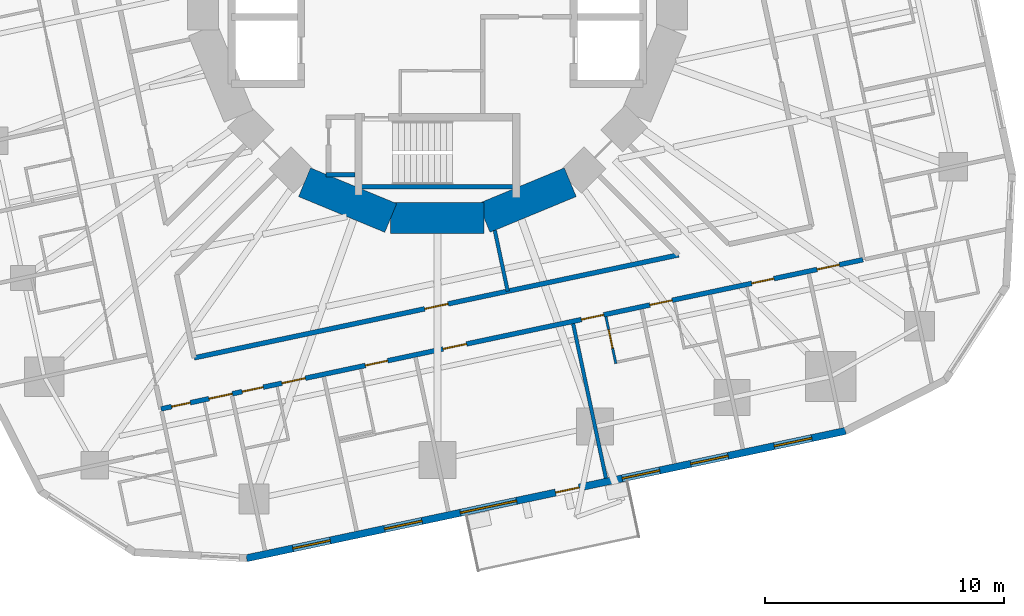
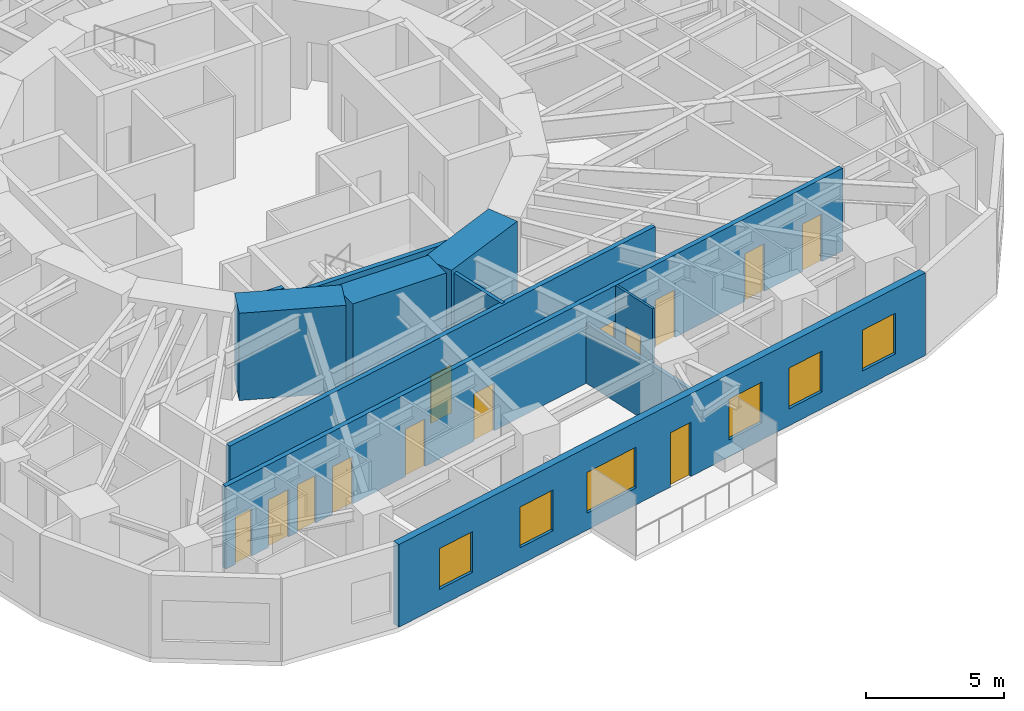
# One storey, part 5 of 14: 13 doors, 11 walls, 6 windows, 19 openings.
"""IFC4 building model written with IfcOpenShell, lengths in metres."""

import ifcopenshell
import ifcopenshell.guid

model = None  # the IFC model being written
_history = None  # IfcOwnerHistory: only IFC2X3 demands one
_inside = {}  # id of a spatial element -> (the spatial element, [elements in it])
_under = {}  # id of a project, library or spatial element -> (it, [spatial elements below it])
_declared = {}  # id of a project -> (the project, [libraries it declares])
_typed = {}  # id of a type object -> (the type object, [elements of that type])
_made_of = {}  # id of a material, layer set ... -> (it, [elements and type objects made of it])


def new_model(schema):
    """Start an empty IFC model of exactly this schema.

    Asked for "IFC4X3", IfcOpenShell would pick the latest addendum, in which some entities
    have other attributes; the version numbers below select the first issue.
    IFC2X3 requires an IfcOwnerHistory on every rooted entity: one is made here for all.
    """
    global model, _history
    if schema == "IFC4X3":
        model = ifcopenshell.file(schema_version=(4, 3, 0, 0))
    else:
        model = ifcopenshell.file(schema=schema)
    _inside.clear()
    _under.clear()
    _declared.clear()
    _typed.clear()
    _made_of.clear()
    _history = None
    if model.schema == "IFC2X3":
        org = make("IfcOrganization", Name="unknown")
        user = make(
            "IfcPersonAndOrganization",
            ThePerson=make("IfcPerson", FamilyName="unknown"),
            TheOrganization=org,
        )
        app = make(
            "IfcApplication",
            ApplicationDeveloper=org,
            Version="unknown",
            ApplicationFullName="unknown",
            ApplicationIdentifier="unknown",
        )
        _history = make(
            "IfcOwnerHistory",
            OwningUser=user,
            OwningApplication=app,
            ChangeAction="ADDED",
            CreationDate=0,
        )
    return model


def make(cls, **values):
    """One entity of the class cls with the attributes given. An attribute that is None is left unset."""
    return model.create_entity(
        cls, **{name: value for name, value in values.items() if value is not None}
    )


def rooted(cls, **values):
    """An entity with a GlobalId (a new one), such as an element, a storey or a relation."""
    return make(cls, GlobalId=ifcopenshell.guid.new(), OwnerHistory=_history, **values)


def si_unit(unit_type, name, prefix=None):
    """IfcSIUnit, for example si_unit("LENGTHUNIT", "METRE", prefix="MILLI")."""
    return make("IfcSIUnit", UnitType=unit_type, Prefix=prefix, Name=name)


def assignment(units):
    """IfcUnitAssignment: the units of a project."""
    return None if units is None else make("IfcUnitAssignment", Units=units)


def point(xyz):
    """IfcCartesianPoint."""
    return None if xyz is None else make("IfcCartesianPoint", Coordinates=xyz)


def direction(xyz):
    """IfcDirection."""
    return None if xyz is None else make("IfcDirection", DirectionRatios=xyz)


def frame(location, z_axis=None, x_axis=None):
    """IfcAxis2Placement3D, a coordinate frame: its origin and axes. An axis left out is left unset."""
    return make(
        "IfcAxis2Placement3D",
        Location=point(location),
        Axis=direction(z_axis),
        RefDirection=direction(x_axis),
    )


def frame_2d(location, x_axis=None):
    """IfcAxis2Placement2D, a coordinate frame in the plane: its origin and x axis."""
    return make(
        "IfcAxis2Placement2D", Location=point(location), RefDirection=direction(x_axis)
    )


def origin():
    """The frame at (0, 0, 0) with its axes left unset."""
    return frame((0.0, 0.0, 0.0))


def place(relative_to, where):
    """IfcLocalPlacement: puts the frame where relative to a parent placement (None: the world)."""
    return make(
        "IfcLocalPlacement", PlacementRelTo=relative_to, RelativePlacement=where
    )


def context(
    kind, dimensions, precision=None, world=None, true_north=None, identifier=None
):
    """IfcGeometricRepresentationContext, for example the 3D "Model" context."""
    return make(
        "IfcGeometricRepresentationContext",
        ContextIdentifier=identifier,
        ContextType=kind,
        CoordinateSpaceDimension=dimensions,
        Precision=precision,
        WorldCoordinateSystem=world,
        TrueNorth=true_north,
    )


def subcontext(parent, identifier, kind, view, scale=None):
    """IfcGeometricRepresentationSubContext, for example "Body" below "Model"."""
    return make(
        "IfcGeometricRepresentationSubContext",
        ContextIdentifier=identifier,
        ContextType=kind,
        ParentContext=parent,
        TargetScale=scale,
        TargetView=view,
    )


def project(units=None, contexts=None):
    """IfcProject with its units and contexts."""
    return rooted(
        "IfcProject",
        Name="project",
        RepresentationContexts=contexts,
        UnitsInContext=assignment(units),
    )


def spatial(cls, under=None, at=None, **own):
    """A site, building, storey or space (cls), placed at a placement, below another one or the project."""
    s = rooted(cls, ObjectPlacement=at, **own)
    if under is not None:
        _under.setdefault(under.id(), (under, []))[1].append(s)
    return s


def profile(cls, at=None, kind="AREA", **sizes):
    """A parametric profile (cls). Its sizes go by their IFC names, for example OverallWidth=200.0."""
    return make(cls, ProfileType=kind, Position=at, **sizes)


def rectangle(**sizes):
    """IfcRectangleProfileDef."""
    return profile("IfcRectangleProfileDef", **sizes)


def extrude(swept, where, along, depth):
    """IfcExtrudedAreaSolid: the profile swept, set in the frame where, extruded along a direction by depth."""
    return make(
        "IfcExtrudedAreaSolid",
        SweptArea=swept,
        Position=where,
        ExtrudedDirection=direction(along),
        Depth=depth,
    )


def shape(context_of_items, identifier, shape_type, items):
    """IfcShapeRepresentation: the items that make up one representation, for example the "Body"."""
    return make(
        "IfcShapeRepresentation",
        ContextOfItems=context_of_items,
        RepresentationIdentifier=identifier,
        RepresentationType=shape_type,
        Items=items,
    )


def material(Name=None, Category=None):
    """IfcMaterial."""
    return make("IfcMaterial", Name=Name, Category=Category)


def layer(
    of_material, thickness, ventilated=None, Name=None, Category=None, Priority=None
):
    """IfcMaterialLayer: one layer of a wall or slab, of a material (None: an air gap)."""
    return make(
        "IfcMaterialLayer",
        Material=of_material,
        LayerThickness=thickness,
        IsVentilated=ventilated,
        Name=Name,
        Category=Category,
        Priority=Priority,
    )


def layer_set(layers, Name=None):
    """IfcMaterialLayerSet."""
    return make("IfcMaterialLayerSet", MaterialLayers=layers, LayerSetName=Name)


def made_of(thing, what):
    """Note that an element or type object is made of a material, layer set ...; save() writes the relation."""
    if what is not None:
        _made_of.setdefault(what.id(), (what, []))[1].append(thing)
    return thing


def type_object(cls, material=None, **own):
    """A type object (cls), such as IfcWallType, which elements share."""
    return made_of(rooted(cls, **own), material)


def element(
    cls,
    number,
    at=None,
    inside=None,
    cuts=None,
    type_object=None,
    material=None,
    context=None,
    identifier="Body",
    shape_type=None,
    held_by="IfcProductDefinitionShape",
    body=None,
    shapes=None,
    **own,
):
    """One element of the class cls, such as IfcWall. Its Tag is "e" and its number.

    at: its placement. inside: the storey or other place that contains it. cuts: it is an
    opening in that element (IfcRelVoidsElement). A single representation is given by context,
    identifier, shape_type and body (its items); several are given by shapes. held_by: the class
    of the entity that holds the representations. save() writes the other relations.
    """
    e = rooted(cls, Tag="e%d" % number, ObjectPlacement=at, **own)
    if body is not None:
        shapes = [shape(context, identifier, shape_type, body)]
    if shapes is not None:
        e.Representation = make(held_by, Representations=shapes)
    if inside is not None:
        _inside.setdefault(inside.id(), (inside, []))[1].append(e)
    if cuts is not None:
        rooted(
            "IfcRelVoidsElement", RelatingBuildingElement=cuts, RelatedOpeningElement=e
        )
    if type_object is not None:
        _typed.setdefault(type_object.id(), (type_object, []))[1].append(e)
    return made_of(e, material)


def fill(opening, filler):
    """IfcRelFillsElement: the door or window that sits in an opening."""
    return rooted(
        "IfcRelFillsElement",
        RelatingOpeningElement=opening,
        RelatedBuildingElement=filler,
    )


def aggregate(whole, parts):
    """IfcRelAggregates: a whole, such as a stair, and the parts it consists of."""
    return rooted("IfcRelAggregates", RelatingObject=whole, RelatedObjects=parts)


def save(model, path):
    """Write the relations noted so far, then the file.

    IfcRelAggregates (storeys below a building ...), IfcRelContainedInSpatialStructure (elements
    in a storey), IfcRelDefinesByType, IfcRelAssociatesMaterial and IfcRelDeclares: one each for
    every whole, place, type object, material and project.
    """
    for whole, parts in _under.values():
        aggregate(whole, parts)
    for where, things in _inside.values():
        rooted(
            "IfcRelContainedInSpatialStructure",
            RelatedElements=things,
            RelatingStructure=where,
        )
    for kind, things in _typed.values():
        rooted("IfcRelDefinesByType", RelatedObjects=things, RelatingType=kind)
    for what, things in _made_of.values():
        rooted("IfcRelAssociatesMaterial", RelatedObjects=things, RelatingMaterial=what)
    for by, libraries in _declared.values():
        rooted("IfcRelDeclares", RelatingContext=by, RelatedDefinitions=libraries)
    model.write(path)


model = new_model("IFC4")

# Units and contexts
model_context = context("Model", 3, precision=1e-05, world=origin(), true_north=direction((0.0, 1.0)))
body_context = subcontext(model_context, "Body", "Model", "MODEL_VIEW")
ifc_project = project(units=[si_unit("LENGTHUNIT", "METRE"), si_unit("AREAUNIT", "SQUARE_METRE"), si_unit("VOLUMEUNIT", "CUBIC_METRE"), si_unit("PLANEANGLEUNIT", "RADIAN"), si_unit("MASSUNIT", "GRAM", prefix="KILO")], contexts=[model_context])

# Site, building, storey
site_placement = place(None, origin())
site = spatial("IfcSite", under=ifc_project, at=site_placement, CompositionType="ELEMENT")
building_placement = place(site_placement, origin())
building = spatial("IfcBuilding", under=site, at=building_placement, Name="Nakasero Lantern House", CompositionType="ELEMENT")
storey_placement = place(building_placement, frame((0.0, 0.0, 105.0)))
storey = spatial("IfcBuildingStorey", under=building, at=storey_placement, Name="L25", CompositionType="ELEMENT", Elevation=105.0)

# Walls
ifc_material_1 = material(Name="Concrete C50/60", Category="concrete")
ifc_layer_1 = layer(ifc_material_1, 1.300048828125)
ifc_layer_set_1 = layer_set([ifc_layer_1], Name="Core wall 1300")
wall_type_1 = type_object("IfcWallType", Name="Core wall 1300", PredefinedType="SHEAR", material=ifc_layer_set_1)
for number, where, z_axis, x_axis, name in (
    (1, (-5.5556640625, -8.314697265625, 0.0), (0.0, 0.0, 1.0), (0.923876507187, -0.382690736062, 0.0), "Core wall L25 facet 11"),
    (2, (-1.950927734375, -9.807861328125, 0.0), (0.0, 0.0, 1.0), (1.0, 0.0, 0.0), "Core wall L25 facet 12"),
    (3, (1.950927734375, -9.807861328125, 0.0), (0.0, 0.0, 1.0), (0.923876507187, 0.382690736062, 0.0), "Core wall L25 facet 13"),
):
    element("IfcWall", number, at=place(storey_placement, frame(where, z_axis=z_axis, x_axis=x_axis)), inside=storey, type_object=wall_type_1, Name=name, PredefinedType="SHEAR", context=body_context, shape_type="SweptSolid", body=[
        extrude(rectangle(XDim=3.90185546875, YDim=1.300048828125, at=frame_2d((1.950927734375, 0.0))), origin(), (0.0, 0.0, 1.0), 3.85009765625),
    ])

# Wall, openings, doors
ifc_material_2 = material(Name="Blockwork", Category="masonry")
ifc_layer_2 = layer(ifc_material_2, 0.199951171875)
ifc_layer_set_2 = layer_set([ifc_layer_2], Name="Corridor wall 200")
wall_type_2 = type_object("IfcWallType", Name="Corridor wall 200", PredefinedType="PARTITIONING", material=ifc_layer_set_2)
wall_1_placement = place(storey_placement, frame((-11.553466796875, -17.790771484375, 0.0), z_axis=(0.0, 0.0, 1.0), x_axis=(0.978147639417, 0.207911508826, 0.0)))
wall_1 = element("IfcWall", 4, at=wall_1_placement, inside=storey, type_object=wall_type_2, Name="Corridor wall L25 CW3", PredefinedType="PARTITIONING", context=body_context, shape_type="SweptSolid", body=[
    extrude(rectangle(XDim=29.999755859375, YDim=0.199951171875, at=frame_2d((15.0, 0.0))), origin(), (0.0, 0.0, 1.0), 3.64990234375),
])
opening_1_placement = place(wall_1_placement, frame((0.449951171875, 0.0, 0.0)))
opening_1 = element("IfcOpeningElement", 5, at=opening_1_placement, cuts=wall_1, Name="Opening D15", PredefinedType="OPENING", context=body_context, shape_type="SweptSolid", body=[
    extrude(rectangle(XDim=0.800048828125, YDim=2.10009765625, at=frame_2d((0.39990234375, 1.050048828125))), frame((0.0, 0.119873046875, 0.0), z_axis=(0.0, -1.0, 0.0), x_axis=(1.0, 0.0, 0.0)), (0.0, 0.0, 1.0), 0.239990234375),
])
opening_2_placement = place(wall_1_placement, frame((2.050048828125, 0.0, 0.0)))
opening_2 = element("IfcOpeningElement", 6, at=opening_2_placement, cuts=wall_1, Name="Opening D07", PredefinedType="OPENING", context=body_context, shape_type="SweptSolid", body=[
    extrude(rectangle(XDim=1.0, YDim=2.10009765625, at=frame_2d((0.5, 1.050048828125))), frame((0.0, 0.119873046875, 0.0), z_axis=(0.0, -1.0, 0.0), x_axis=(1.0, 0.0, 0.0)), (0.0, 0.0, 1.0), 0.239990234375),
])
opening_3_placement = place(wall_1_placement, frame((3.466064453125, 0.0, 0.0)))
opening_3 = element("IfcOpeningElement", 7, at=opening_3_placement, cuts=wall_1, Name="Opening D16", PredefinedType="OPENING", context=body_context, shape_type="SweptSolid", body=[
    extrude(rectangle(XDim=0.89990234375, YDim=2.10009765625, at=frame_2d((0.449951171875, 1.050048828125))), frame((0.0, 0.119873046875, 0.0), z_axis=(0.0, -1.0, 0.0), x_axis=(1.0, 0.0, 0.0)), (0.0, 0.0, 1.0), 0.239990234375),
])
opening_4_placement = place(wall_1_placement, frame((5.166015625, 0.0, 0.0)))
opening_4 = element("IfcOpeningElement", 8, at=opening_4_placement, cuts=wall_1, Name="Opening D07", PredefinedType="OPENING", context=body_context, shape_type="SweptSolid", body=[
    extrude(rectangle(XDim=1.0, YDim=2.10009765625, at=frame_2d((0.5, 1.050048828125))), frame((0.0, 0.119873046875, 0.0), z_axis=(0.0, -1.0, 0.0), x_axis=(1.0, 0.0, 0.0)), (0.0, 0.0, 1.0), 0.239990234375),
])
opening_5_placement = place(wall_1_placement, frame((8.735595703125, 0.0, 0.0)))
opening_5 = element("IfcOpeningElement", 9, at=opening_5_placement, cuts=wall_1, Name="Opening D01", PredefinedType="OPENING", context=body_context, shape_type="SweptSolid", body=[
    extrude(rectangle(XDim=0.949951171875, YDim=2.10009765625, at=frame_2d((0.47509765625, 1.050048828125))), frame((0.0, 0.119873046875, 0.0), z_axis=(0.0, -1.0, 0.0), x_axis=(1.0, 0.0, 0.0)), (0.0, 0.0, 1.0), 0.239990234375),
])
opening_6_placement = place(wall_1_placement, frame((17.967529296875, 0.0, 0.0)))
opening_6 = element("IfcOpeningElement", 10, at=opening_6_placement, cuts=wall_1, Name="Opening D01", PredefinedType="OPENING", context=body_context, shape_type="SweptSolid", body=[
    extrude(rectangle(XDim=0.949951171875, YDim=2.10009765625, at=frame_2d((0.47509765625, 1.050048828125))), frame((0.0, 0.119873046875, 0.0), z_axis=(0.0, -1.0, 0.0), x_axis=(1.0, 0.0, 0.0)), (0.0, 0.0, 1.0), 0.239990234375),
])
opening_7_placement = place(wall_1_placement, frame((20.89404296875, 0.0, 0.0)))
opening_7 = element("IfcOpeningElement", 11, at=opening_7_placement, cuts=wall_1, Name="Opening D01", PredefinedType="OPENING", context=body_context, shape_type="SweptSolid", body=[
    extrude(rectangle(XDim=0.949951171875, YDim=2.10009765625, at=frame_2d((0.47509765625, 1.050048828125))), frame((0.0, 0.119873046875, 0.0), z_axis=(0.0, -1.0, 0.0), x_axis=(1.0, 0.0, 0.0)), (0.0, 0.0, 1.0), 0.239990234375),
])
opening_8_placement = place(wall_1_placement, frame((25.245361328125, 0.0, 0.0)))
opening_8 = element("IfcOpeningElement", 12, at=opening_8_placement, cuts=wall_1, Name="Opening D01", PredefinedType="OPENING", context=body_context, shape_type="SweptSolid", body=[
    extrude(rectangle(XDim=0.949951171875, YDim=2.10009765625, at=frame_2d((0.47509765625, 1.050048828125))), frame((0.0, 0.119873046875, 0.0), z_axis=(0.0, -1.0, 0.0), x_axis=(1.0, 0.0, 0.0)), (0.0, 0.0, 1.0), 0.239990234375),
])
opening_9_placement = place(wall_1_placement, frame((28.038330078125, 0.0, 0.0)))
opening_9 = element("IfcOpeningElement", 13, at=opening_9_placement, cuts=wall_1, Name="Opening D01", PredefinedType="OPENING", context=body_context, shape_type="SweptSolid", body=[
    extrude(rectangle(XDim=0.949951171875, YDim=2.10009765625, at=frame_2d((0.47509765625, 1.050048828125))), frame((0.0, 0.119873046875, 0.0), z_axis=(0.0, -1.0, 0.0), x_axis=(1.0, 0.0, 0.0)), (0.0, 0.0, 1.0), 0.239990234375),
])
opening_10_placement = place(wall_1_placement, frame((12.05517578125, 0.0, 0.0)))
opening_10 = element("IfcOpeningElement", 14, at=opening_10_placement, cuts=wall_1, Name="Opening D03", PredefinedType="OPENING", context=body_context, shape_type="SweptSolid", body=[
    extrude(rectangle(XDim=1.0, YDim=2.10009765625, at=frame_2d((0.5, 1.050048828125))), frame((0.0, 0.119873046875, 0.0), z_axis=(0.0, -1.0, 0.0), x_axis=(1.0, 0.0, 0.0)), (0.0, 0.0, 1.0), 0.239990234375),
])
ifc_material_3 = material(Name="Timber C24", Category="wood")
door_type_1 = type_object("IfcDoorType", Name="Accessible WC door 900", OperationType="SINGLE_SWING_RIGHT", PredefinedType="DOOR", material=ifc_material_3)
door_1_placement = place(opening_3_placement, origin())
door_1 = element("IfcDoor", 15, at=door_1_placement, inside=storey, type_object=door_type_1, Name="Door L25 DS3-01", OperationType="SINGLE_SWING_LEFT", OverallHeight=2.10009765625, OverallWidth=0.89990234375, PredefinedType="DOOR", context=body_context, shape_type="SweptSolid", body=[
    extrude(rectangle(XDim=0.89990234375, YDim=2.10009765625, at=frame_2d((0.449951171875, 1.050048828125))), frame((0.0, 0.02490234375, 0.0), z_axis=(0.0, -1.0, 0.0), x_axis=(1.0, 0.0, 0.0)), (0.0, 0.0, 1.0), 0.050048828125),
])
fill(opening_3, door_1)
ifc_material_4 = material(Name="Timber C24", Category="wood")
door_type_2 = type_object("IfcDoorType", Name="Bedroom door FD30S 950", OperationType="SINGLE_SWING_LEFT", PredefinedType="DOOR", material=ifc_material_4)
door_2_placement = place(opening_5_placement, origin())
door_2 = element("IfcDoor", 16, at=door_2_placement, inside=storey, type_object=door_type_2, Name="Door L25 D3-02", OperationType="SINGLE_SWING_LEFT", OverallHeight=2.10009765625, OverallWidth=0.949951171875, PredefinedType="DOOR", context=body_context, shape_type="SweptSolid", body=[
    extrude(rectangle(XDim=0.949951171875, YDim=2.10009765625, at=frame_2d((0.47509765625, 1.050048828125))), frame((0.0, 0.02490234375, 0.0), z_axis=(0.0, -1.0, 0.0), x_axis=(1.0, 0.0, 0.0)), (0.0, 0.0, 1.0), 0.050048828125),
])
fill(opening_5, door_2)
door_3_placement = place(opening_6_placement, origin())
door_3 = element("IfcDoor", 17, at=door_3_placement, inside=storey, type_object=door_type_2, Name="Door L25 D3-05", OperationType="SINGLE_SWING_RIGHT", OverallHeight=2.10009765625, OverallWidth=0.949951171875, PredefinedType="DOOR", context=body_context, shape_type="SweptSolid", body=[
    extrude(rectangle(XDim=0.949951171875, YDim=2.10009765625, at=frame_2d((0.47509765625, 1.050048828125))), frame((0.0, 0.02490234375, 0.0), z_axis=(0.0, -1.0, 0.0), x_axis=(1.0, 0.0, 0.0)), (0.0, 0.0, 1.0), 0.050048828125),
])
fill(opening_6, door_3)
door_4_placement = place(opening_7_placement, origin())
door_4 = element("IfcDoor", 18, at=door_4_placement, inside=storey, type_object=door_type_2, Name="Door L25 D3-06", OperationType="SINGLE_SWING_RIGHT", OverallHeight=2.10009765625, OverallWidth=0.949951171875, PredefinedType="DOOR", context=body_context, shape_type="SweptSolid", body=[
    extrude(rectangle(XDim=0.949951171875, YDim=2.10009765625, at=frame_2d((0.47509765625, 1.050048828125))), frame((0.0, 0.02490234375, 0.0), z_axis=(0.0, -1.0, 0.0), x_axis=(1.0, 0.0, 0.0)), (0.0, 0.0, 1.0), 0.050048828125),
])
fill(opening_7, door_4)
door_5_placement = place(opening_8_placement, origin())
door_5 = element("IfcDoor", 19, at=door_5_placement, inside=storey, type_object=door_type_2, Name="Door L25 D3-07", OperationType="SINGLE_SWING_RIGHT", OverallHeight=2.10009765625, OverallWidth=0.949951171875, PredefinedType="DOOR", context=body_context, shape_type="SweptSolid", body=[
    extrude(rectangle(XDim=0.949951171875, YDim=2.10009765625, at=frame_2d((0.47509765625, 1.050048828125))), frame((0.0, 0.02490234375, 0.0), z_axis=(0.0, -1.0, 0.0), x_axis=(1.0, 0.0, 0.0)), (0.0, 0.0, 1.0), 0.050048828125),
])
fill(opening_8, door_5)
door_6_placement = place(opening_9_placement, origin())
door_6 = element("IfcDoor", 20, at=door_6_placement, inside=storey, type_object=door_type_2, Name="Door L25 D3-08", OperationType="SINGLE_SWING_RIGHT", OverallHeight=2.10009765625, OverallWidth=0.949951171875, PredefinedType="DOOR", context=body_context, shape_type="SweptSolid", body=[
    extrude(rectangle(XDim=0.949951171875, YDim=2.10009765625, at=frame_2d((0.47509765625, 1.050048828125))), frame((0.0, 0.02490234375, 0.0), z_axis=(0.0, -1.0, 0.0), x_axis=(1.0, 0.0, 0.0)), (0.0, 0.0, 1.0), 0.050048828125),
])
fill(opening_9, door_6)
ifc_material_5 = material(Name="Timber C24", Category="wood")
door_type_3 = type_object("IfcDoorType", Name="Cleaner's store door FD30S 800", OperationType="SINGLE_SWING_LEFT", PredefinedType="DOOR", material=ifc_material_5)
door_7_placement = place(opening_1_placement, origin())
door_7 = element("IfcDoor", 21, at=door_7_placement, inside=storey, type_object=door_type_3, Name="Door L25 DS3-00", OperationType="SINGLE_SWING_LEFT", OverallHeight=2.10009765625, OverallWidth=0.800048828125, PredefinedType="DOOR", context=body_context, shape_type="SweptSolid", body=[
    extrude(rectangle(XDim=0.800048828125, YDim=2.10009765625, at=frame_2d((0.39990234375, 1.050048828125))), frame((0.0, 0.02490234375, 0.0), z_axis=(0.0, -1.0, 0.0), x_axis=(1.0, 0.0, 0.0)), (0.0, 0.0, 1.0), 0.050048828125),
])
fill(opening_1, door_7)
ifc_material_6 = material(Name="Timber C24", Category="wood")
door_type_4 = type_object("IfcDoorType", Name="Lounge door FD30S 1000", OperationType="SINGLE_SWING_LEFT", PredefinedType="DOOR", material=ifc_material_6)
door_8_placement = place(opening_10_placement, origin())
door_8 = element("IfcDoor", 22, at=door_8_placement, inside=storey, type_object=door_type_4, Name="Door L25 DK3", OperationType="SINGLE_SWING_LEFT", OverallHeight=2.10009765625, OverallWidth=1.0, PredefinedType="DOOR", context=body_context, shape_type="SweptSolid", body=[
    extrude(rectangle(XDim=1.0, YDim=2.10009765625, at=frame_2d((0.5, 1.050048828125))), frame((0.0, 0.02490234375, 0.0), z_axis=(0.0, -1.0, 0.0), x_axis=(1.0, 0.0, 0.0)), (0.0, 0.0, 1.0), 0.050048828125),
])
fill(opening_10, door_8)
ifc_material_7 = material(Name="Timber C24", Category="wood")
door_type_5 = type_object("IfcDoorType", Name="Room door FD30S 1000", OperationType="SINGLE_SWING_LEFT", PredefinedType="DOOR", material=ifc_material_7)
door_9_placement = place(opening_2_placement, origin())
door_9 = element("IfcDoor", 23, at=door_9_placement, inside=storey, type_object=door_type_5, Name="Door L25 D3-00", OperationType="SINGLE_SWING_LEFT", OverallHeight=2.10009765625, OverallWidth=1.0, PredefinedType="DOOR", context=body_context, shape_type="SweptSolid", body=[
    extrude(rectangle(XDim=1.0, YDim=2.10009765625, at=frame_2d((0.5, 1.050048828125))), frame((0.0, 0.02490234375, 0.0), z_axis=(0.0, -1.0, 0.0), x_axis=(1.0, 0.0, 0.0)), (0.0, 0.0, 1.0), 0.050048828125),
])
fill(opening_2, door_9)
door_10_placement = place(opening_4_placement, origin())
door_10 = element("IfcDoor", 24, at=door_10_placement, inside=storey, type_object=door_type_5, Name="Door L25 D3-01", OperationType="SINGLE_SWING_LEFT", OverallHeight=2.10009765625, OverallWidth=1.0, PredefinedType="DOOR", context=body_context, shape_type="SweptSolid", body=[
    extrude(rectangle(XDim=1.0, YDim=2.10009765625, at=frame_2d((0.5, 1.050048828125))), frame((0.0, 0.02490234375, 0.0), z_axis=(0.0, -1.0, 0.0), x_axis=(1.0, 0.0, 0.0)), (0.0, 0.0, 1.0), 0.050048828125),
])
fill(opening_4, door_10)

# Wall, opening, door
wall_2_placement = place(storey_placement, frame((-10.1669921875, -15.656005859375, 0.0), z_axis=(0.0, 0.0, 1.0), x_axis=(0.978145959178, 0.207919413582, 0.0)))
wall_2 = element("IfcWall", 25, at=wall_2_placement, inside=storey, type_object=wall_type_2, Name="Corridor wall L25 IW3-0", PredefinedType="PARTITIONING", context=body_context, shape_type="SweptSolid", body=[
    extrude(rectangle(XDim=20.698974609375, YDim=0.199951171875, at=frame_2d((10.349609375, 0.0))), origin(), (0.0, 0.0, 1.0), 3.64990234375),
])
opening_11_placement = place(wall_2_placement, frame((9.849609375, 0.0, 0.0)))
opening_11 = element("IfcOpeningElement", 26, at=opening_11_placement, cuts=wall_2, Name="Opening D07", PredefinedType="OPENING", context=body_context, shape_type="SweptSolid", body=[
    extrude(rectangle(XDim=1.0, YDim=2.10009765625, at=frame_2d((0.5, 1.050048828125))), frame((0.0, 0.119873046875, 0.0), z_axis=(0.0, -1.0, 0.0), x_axis=(1.0, 0.0, 0.0)), (0.0, 0.0, 1.0), 0.239990234375),
])
door_11_placement = place(opening_11_placement, origin())
door_11 = element("IfcDoor", 27, at=door_11_placement, inside=storey, type_object=door_type_5, Name="Door L25 DI2", OperationType="SINGLE_SWING_RIGHT", OverallHeight=2.10009765625, OverallWidth=1.0, PredefinedType="DOOR", context=body_context, shape_type="SweptSolid", body=[
    extrude(rectangle(XDim=1.0, YDim=2.10009765625, at=frame_2d((0.5, 1.050048828125))), frame((0.0, 0.02490234375, 0.0), z_axis=(0.0, -1.0, 0.0), x_axis=(1.0, 0.0, 0.0)), (0.0, 0.0, 1.0), 0.050048828125),
])
fill(opening_11, door_11)

ifc_material_8 = material(Name="Blockwork", Category="masonry")
ifc_layer_3 = layer(ifc_material_8, 0.10009765625)
ifc_layer_set_3 = layer_set([ifc_layer_3], Name="En-suite wall 100")
wall_type_3 = type_object("IfcWallType", Name="En-suite wall 100", PredefinedType="PARTITIONING", material=ifc_layer_set_3)
wall_3_placement = place(storey_placement, frame((7.046142578125, -13.939697265625, 0.0), z_axis=(0.0, 0.0, 1.0), x_axis=(0.207886494942, -0.978152955943, 0.0)))
wall_3 = element("IfcWall", 28, at=wall_3_placement, inside=storey, type_object=wall_type_3, Name="En-suite wall L25 ES3-05", PredefinedType="PARTITIONING", context=body_context, shape_type="SweptSolid", body=[
    extrude(rectangle(XDim=2.0, YDim=0.10009765625, at=frame_2d((1.0, 0.0))), origin(), (0.0, 0.0, 1.0), 3.64990234375),
])
opening_12_placement = place(wall_3_placement, frame((0.550048828125, 0.0, 0.0)))
opening_12 = element("IfcOpeningElement", 29, at=opening_12_placement, cuts=wall_3, Name="Opening D02", PredefinedType="OPENING", context=body_context, shape_type="SweptSolid", body=[
    extrude(rectangle(XDim=0.800048828125, YDim=2.10009765625, at=frame_2d((0.39990234375, 1.050048828125))), frame((0.0, 0.070068359375, 0.0), z_axis=(0.0, -1.0, 0.0), x_axis=(1.0, 0.0, 0.0)), (0.0, 0.0, 1.0), 0.14013671875),
])
ifc_material_9 = material(Name="Timber C24", Category="wood")
door_type_6 = type_object("IfcDoorType", Name="En-suite door 800", OperationType="SINGLE_SWING_RIGHT", PredefinedType="DOOR", material=ifc_material_9)
door_12_placement = place(opening_12_placement, origin())
door_12 = element("IfcDoor", 30, at=door_12_placement, inside=storey, type_object=door_type_6, Name="Door L25 DE3-05", OperationType="SINGLE_SWING_LEFT", OverallHeight=2.10009765625, OverallWidth=0.800048828125, PredefinedType="DOOR", context=body_context, shape_type="SweptSolid", body=[
    extrude(rectangle(XDim=0.800048828125, YDim=2.10009765625, at=frame_2d((0.39990234375, 1.050048828125))), frame((0.0, 0.02490234375, 0.0), z_axis=(0.0, -1.0, 0.0), x_axis=(1.0, 0.0, 0.0)), (0.0, 0.0, 1.0), 0.050048828125),
])
fill(opening_12, door_12)

# Wall, openings, door, windows
ifc_material_10 = material(Name="Aluminium rainscreen on blockwork", Category="masonry")
ifc_layer_4 = layer(ifc_material_10, 0.300048828125)
ifc_layer_set_4 = layer_set([ifc_layer_4], Name="Facade wall 300")
wall_type_4 = type_object("IfcWallType", Name="Facade wall 300", PredefinedType="SOLIDWALL", material=ifc_layer_set_4)
wall_4_placement = place(storey_placement, frame((-7.9775390625, -24.03369140625, 0.0), z_axis=(0.0, 0.0, 1.0), x_axis=(0.978148160964, 0.207909055127, 0.0)))
wall_4 = element("IfcWall", 31, at=wall_4_placement, inside=storey, type_object=wall_type_4, Name="Facade wall L25 FW3S", PredefinedType="SOLIDWALL", context=body_context, shape_type="SweptSolid", body=[
    extrude(rectangle(XDim=25.60009765625, YDim=0.300048828125, at=frame_2d((12.800048828125, 0.0))), origin(), (0.0, 0.0, 1.0), 3.64990234375),
])
opening_13_placement = place(wall_4_placement, frame((1.975830078125, 0.0, 0.75)))
opening_13 = element("IfcOpeningElement", 32, at=opening_13_placement, cuts=wall_4, Name="Opening W01", PredefinedType="OPENING", context=body_context, shape_type="SweptSolid", body=[
    extrude(rectangle(XDim=1.60009765625, YDim=1.800048828125, at=frame_2d((0.800048828125, 0.89990234375))), frame((0.0, 0.169921875, 0.0), z_axis=(0.0, -1.0, 0.0), x_axis=(1.0, 0.0, 0.0)), (0.0, 0.0, 1.0), 0.340087890625),
])
opening_14_placement = place(wall_4_placement, frame((5.8955078125, 0.0, 0.75)))
opening_14 = element("IfcOpeningElement", 33, at=opening_14_placement, cuts=wall_4, Name="Opening W01", PredefinedType="OPENING", context=body_context, shape_type="SweptSolid", body=[
    extrude(rectangle(XDim=1.60009765625, YDim=1.800048828125, at=frame_2d((0.800048828125, 0.89990234375))), frame((0.0, 0.169921875, 0.0), z_axis=(0.0, -1.0, 0.0), x_axis=(1.0, 0.0, 0.0)), (0.0, 0.0, 1.0), 0.340087890625),
])
opening_15_placement = place(wall_4_placement, frame((16.0556640625, 0.0, 0.75)))
opening_15 = element("IfcOpeningElement", 34, at=opening_15_placement, cuts=wall_4, Name="Opening W01", PredefinedType="OPENING", context=body_context, shape_type="SweptSolid", body=[
    extrude(rectangle(XDim=1.60009765625, YDim=1.800048828125, at=frame_2d((0.800048828125, 0.89990234375))), frame((0.0, 0.169921875, 0.0), z_axis=(0.0, -1.0, 0.0), x_axis=(1.0, 0.0, 0.0)), (0.0, 0.0, 1.0), 0.340087890625),
])
opening_16_placement = place(wall_4_placement, frame((18.982177734375, 0.0, 0.75)))
opening_16 = element("IfcOpeningElement", 35, at=opening_16_placement, cuts=wall_4, Name="Opening W01", PredefinedType="OPENING", context=body_context, shape_type="SweptSolid", body=[
    extrude(rectangle(XDim=1.60009765625, YDim=1.800048828125, at=frame_2d((0.800048828125, 0.89990234375))), frame((0.0, 0.169921875, 0.0), z_axis=(0.0, -1.0, 0.0), x_axis=(1.0, 0.0, 0.0)), (0.0, 0.0, 1.0), 0.340087890625),
])
opening_17_placement = place(wall_4_placement, frame((22.554443359375, 0.0, 0.75)))
opening_17 = element("IfcOpeningElement", 36, at=opening_17_placement, cuts=wall_4, Name="Opening W01", PredefinedType="OPENING", context=body_context, shape_type="SweptSolid", body=[
    extrude(rectangle(XDim=1.60009765625, YDim=1.800048828125, at=frame_2d((0.800048828125, 0.89990234375))), frame((0.0, 0.169921875, 0.0), z_axis=(0.0, -1.0, 0.0), x_axis=(1.0, 0.0, 0.0)), (0.0, 0.0, 1.0), 0.340087890625),
])
opening_18_placement = place(wall_4_placement, frame((9.139404296875, 0.0, 0.75)))
opening_18 = element("IfcOpeningElement", 37, at=opening_18_placement, cuts=wall_4, Name="Opening W03", PredefinedType="OPENING", context=body_context, shape_type="SweptSolid", body=[
    extrude(rectangle(XDim=2.39990234375, YDim=1.800048828125, at=frame_2d((1.199951171875, 0.89990234375))), frame((0.0, 0.169921875, 0.0), z_axis=(0.0, -1.0, 0.0), x_axis=(1.0, 0.0, 0.0)), (0.0, 0.0, 1.0), 0.340087890625),
])
opening_19_placement = place(wall_4_placement, frame((13.208251953125, 0.0, 0.0)))
opening_19 = element("IfcOpeningElement", 38, at=opening_19_placement, cuts=wall_4, Name="Opening D04", PredefinedType="OPENING", context=body_context, shape_type="SweptSolid", body=[
    extrude(rectangle(XDim=1.0, YDim=2.39990234375, at=frame_2d((0.5, 1.199951171875))), frame((0.0, 0.169921875, 0.0), z_axis=(0.0, -1.0, 0.0), x_axis=(1.0, 0.0, 0.0)), (0.0, 0.0, 1.0), 0.340087890625),
])
ifc_material_11 = material(Name="Aluminium 6063-T6 and glass", Category="aluminium")
door_type_7 = type_object("IfcDoorType", Name="Balcony door 1000x2400", OperationType="SINGLE_SWING_RIGHT", PredefinedType="DOOR", material=ifc_material_11)
door_13_placement = place(opening_19_placement, origin())
door_13 = element("IfcDoor", 39, at=door_13_placement, inside=storey, type_object=door_type_7, Name="Balcony door L25 DB3", OperationType="SINGLE_SWING_RIGHT", OverallHeight=2.39990234375, OverallWidth=1.0, PredefinedType="DOOR", context=body_context, shape_type="SweptSolid", body=[
    extrude(rectangle(XDim=1.0, YDim=2.39990234375, at=frame_2d((0.5, 1.199951171875))), frame((0.0, 0.02490234375, 0.0), z_axis=(0.0, -1.0, 0.0), x_axis=(1.0, 0.0, 0.0)), (0.0, 0.0, 1.0), 0.050048828125),
])
fill(opening_19, door_13)
ifc_material_12 = material(Name="Aluminium 6063-T6 and glass", Category="aluminium")
window_type_1 = type_object("IfcWindowType", Name="Bedroom window 1600x1800", PartitioningType="SINGLE_PANEL", PredefinedType="WINDOW", material=ifc_material_12)
window_1_placement = place(opening_13_placement, origin())
window_1 = element("IfcWindow", 40, at=window_1_placement, inside=storey, type_object=window_type_1, Name="Window L25 WN3-01", OverallHeight=1.800048828125, OverallWidth=1.60009765625, PartitioningType="SINGLE_PANEL", PredefinedType="WINDOW", context=body_context, shape_type="SweptSolid", body=[
    extrude(rectangle(XDim=1.60009765625, YDim=1.800048828125, at=frame_2d((0.800048828125, 0.89990234375))), frame((0.0, 0.030029296875, 0.0), z_axis=(0.0, -1.0, 0.0), x_axis=(1.0, 0.0, 0.0)), (0.0, 0.0, 1.0), 0.06005859375),
])
fill(opening_13, window_1)
window_2_placement = place(opening_14_placement, origin())
window_2 = element("IfcWindow", 41, at=window_2_placement, inside=storey, type_object=window_type_1, Name="Window L25 WN3-02", OverallHeight=1.800048828125, OverallWidth=1.60009765625, PartitioningType="SINGLE_PANEL", PredefinedType="WINDOW", context=body_context, shape_type="SweptSolid", body=[
    extrude(rectangle(XDim=1.60009765625, YDim=1.800048828125, at=frame_2d((0.800048828125, 0.89990234375))), frame((0.0, 0.030029296875, 0.0), z_axis=(0.0, -1.0, 0.0), x_axis=(1.0, 0.0, 0.0)), (0.0, 0.0, 1.0), 0.06005859375),
])
fill(opening_14, window_2)
window_3_placement = place(opening_15_placement, origin())
window_3 = element("IfcWindow", 42, at=window_3_placement, inside=storey, type_object=window_type_1, Name="Window L25 WN3-05", OverallHeight=1.800048828125, OverallWidth=1.60009765625, PartitioningType="SINGLE_PANEL", PredefinedType="WINDOW", context=body_context, shape_type="SweptSolid", body=[
    extrude(rectangle(XDim=1.60009765625, YDim=1.800048828125, at=frame_2d((0.800048828125, 0.89990234375))), frame((0.0, 0.030029296875, 0.0), z_axis=(0.0, -1.0, 0.0), x_axis=(1.0, 0.0, 0.0)), (0.0, 0.0, 1.0), 0.06005859375),
])
fill(opening_15, window_3)
window_4_placement = place(opening_16_placement, origin())
window_4 = element("IfcWindow", 43, at=window_4_placement, inside=storey, type_object=window_type_1, Name="Window L25 WN3-06", OverallHeight=1.800048828125, OverallWidth=1.60009765625, PartitioningType="SINGLE_PANEL", PredefinedType="WINDOW", context=body_context, shape_type="SweptSolid", body=[
    extrude(rectangle(XDim=1.60009765625, YDim=1.800048828125, at=frame_2d((0.800048828125, 0.89990234375))), frame((0.0, 0.030029296875, 0.0), z_axis=(0.0, -1.0, 0.0), x_axis=(1.0, 0.0, 0.0)), (0.0, 0.0, 1.0), 0.06005859375),
])
fill(opening_16, window_4)
window_5_placement = place(opening_17_placement, origin())
window_5 = element("IfcWindow", 44, at=window_5_placement, inside=storey, type_object=window_type_1, Name="Window L25 WN3-07", OverallHeight=1.800048828125, OverallWidth=1.60009765625, PartitioningType="SINGLE_PANEL", PredefinedType="WINDOW", context=body_context, shape_type="SweptSolid", body=[
    extrude(rectangle(XDim=1.60009765625, YDim=1.800048828125, at=frame_2d((0.800048828125, 0.89990234375))), frame((0.0, 0.030029296875, 0.0), z_axis=(0.0, -1.0, 0.0), x_axis=(1.0, 0.0, 0.0)), (0.0, 0.0, 1.0), 0.06005859375),
])
fill(opening_17, window_5)
ifc_material_13 = material(Name="Aluminium 6063-T6 and glass", Category="aluminium")
window_type_2 = type_object("IfcWindowType", Name="Lounge window 2400x1800", PartitioningType="SINGLE_PANEL", PredefinedType="WINDOW", material=ifc_material_13)
window_6_placement = place(opening_18_placement, origin())
window_6 = element("IfcWindow", 45, at=window_6_placement, inside=storey, type_object=window_type_2, Name="Window L25 WK3", OverallHeight=1.800048828125, OverallWidth=2.39990234375, PartitioningType="SINGLE_PANEL", PredefinedType="WINDOW", context=body_context, shape_type="SweptSolid", body=[
    extrude(rectangle(XDim=2.39990234375, YDim=1.800048828125, at=frame_2d((1.199951171875, 0.89990234375))), frame((0.0, 0.030029296875, 0.0), z_axis=(0.0, -1.0, 0.0), x_axis=(1.0, 0.0, 0.0)), (0.0, 0.0, 1.0), 0.06005859375),
])
fill(opening_18, window_6)

# Walls
ifc_material_14 = material(Name="Blockwork", Category="masonry")
ifc_layer_5 = layer(ifc_material_14, 0.199951171875)
ifc_layer_set_5 = layer_set([ifc_layer_5], Name="Fire lobby wall 200")
wall_type_5 = type_object("IfcWallType", Name="Fire lobby wall 200", PredefinedType="PARTITIONING", material=ifc_layer_set_5)
wall_5_placement = place(storey_placement, frame((-3.449951171875, -8.0, 0.0), z_axis=(0.0, 0.0, 1.0), x_axis=(-1.0, 0.0, 0.0)))
element("IfcWall", 46, at=wall_5_placement, inside=storey, type_object=wall_type_5, Name="Fire lobby wall L25 W-RS2S", PredefinedType="PARTITIONING", context=body_context, shape_type="SweptSolid", body=[
    extrude(rectangle(XDim=1.199951171875, YDim=0.199951171875, at=frame_2d((0.60009765625, 0.0))), origin(), (0.0, 0.0, 1.0), 3.64990234375),
])
wall_6_placement = place(storey_placement, frame((-3.300048828125, -8.5, 0.0), z_axis=(0.0, 0.0, 1.0), x_axis=(1.0, 0.0, 0.0)))
element("IfcWall", 47, at=wall_6_placement, inside=storey, type_object=wall_type_5, Name="Fire lobby wall L25 W-STS", PredefinedType="PARTITIONING", context=body_context, shape_type="SweptSolid", body=[
    extrude(rectangle(XDim=6.60009765625, YDim=0.199951171875, at=frame_2d((3.300048828125, 0.0))), origin(), (0.0, 0.0, 1.0), 3.64990234375),
])
ifc_material_15 = material(Name="Blockwork", Category="masonry")
ifc_layer_6 = layer(ifc_material_15, 0.14990234375)
ifc_layer_set_6 = layer_set([ifc_layer_6], Name="Party wall 150")
wall_type_6 = type_object("IfcWallType", Name="Party wall 150", PredefinedType="PARTITIONING", material=ifc_layer_set_6)
wall_7_placement = place(storey_placement, frame((5.67529296875, -14.23095703125, 0.0), z_axis=(0.0, 0.0, 1.0), x_axis=(0.207924673876, -0.978144841009, 0.0)))
element("IfcWall", 48, at=wall_7_placement, inside=storey, type_object=wall_type_6, Name="Party wall L25 PW3-05", PredefinedType="PARTITIONING", context=body_context, shape_type="SweptSolid", body=[
    extrude(rectangle(XDim=6.60009765625, YDim=0.14990234375, at=frame_2d((3.300048828125, 0.0))), origin(), (0.0, 0.0, 1.0), 2.641845703125),
])
wall_8_placement = place(storey_placement, frame((2.940185546875, -12.869873046875, 0.0), z_axis=(0.0, 0.0, 1.0), x_axis=(-0.207996830597, 0.978129499842, 0.0)))
element("IfcWall", 49, at=wall_8_placement, inside=storey, type_object=wall_type_6, Name="Party wall L25 IM3", PredefinedType="PARTITIONING", context=body_context, shape_type="SweptSolid", body=[
    extrude(rectangle(XDim=2.60107421875, YDim=0.14990234375, at=frame_2d((1.300537109375, 0.0))), origin(), (0.0, 0.0, 1.0), 3.64990234375),
])

save(model, "model.ifc")
